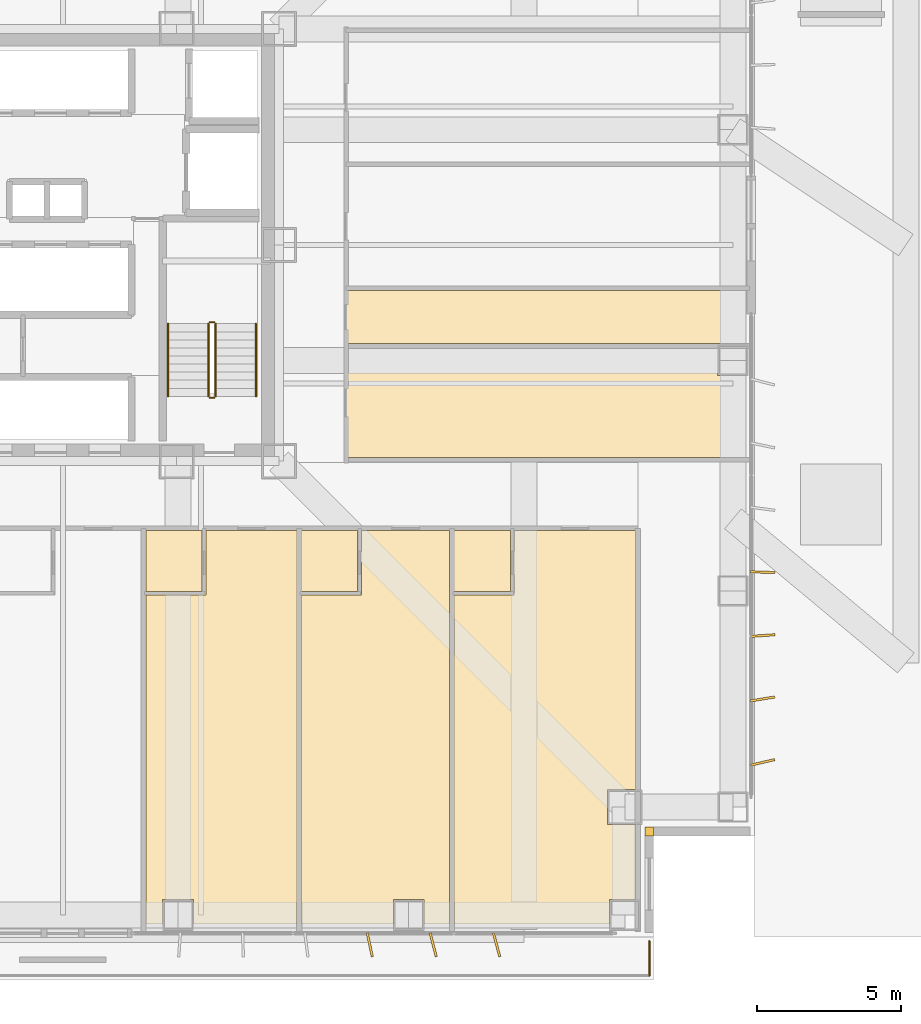
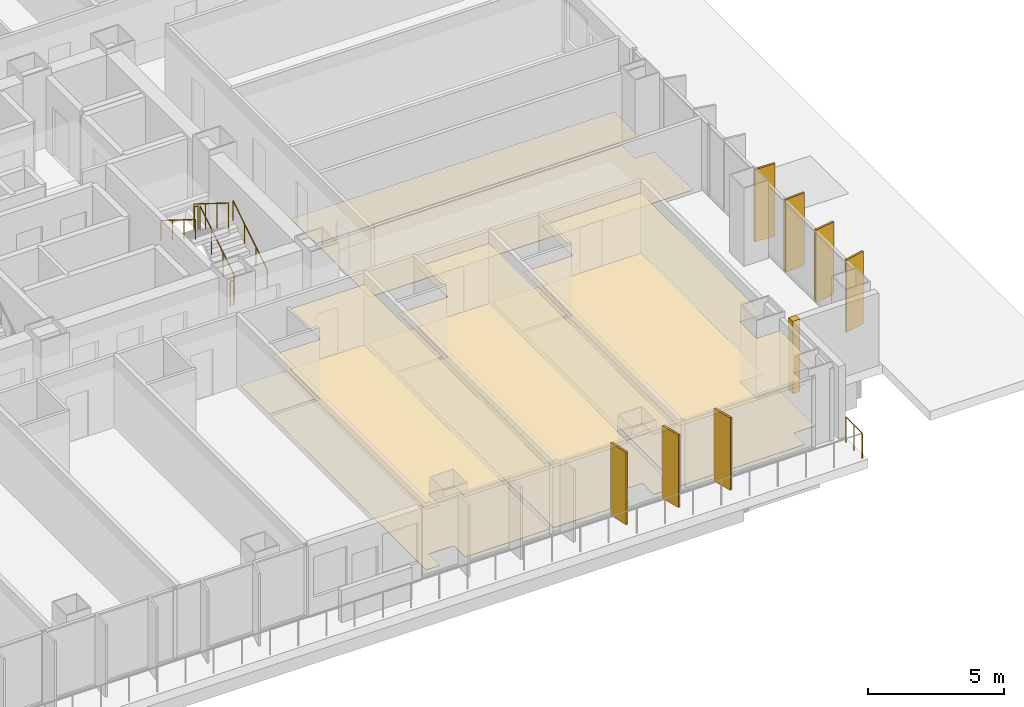
# One storey, part 22 of 24: 12 coverings, 7 railings, 7 shading devices.
"""IFC4 building model written with IfcOpenShell, lengths in metres."""

from ifc_helpers import new_model, si_unit, direction, frame, origin, origin_2d, place, context, subcontext, project, spatial, polyline, rectangle, circle, outline, extrude, material, layer, layer_set, type_object, element, save


model = new_model("IFC4")

# Units and contexts
model_context = context("Model", 3, precision=1e-05, world=origin(), true_north=direction((0.0, 1.0)))
body_context = subcontext(model_context, "Body", "Model", "MODEL_VIEW")
ifc_project = project(units=[si_unit("LENGTHUNIT", "METRE"), si_unit("AREAUNIT", "SQUARE_METRE"), si_unit("VOLUMEUNIT", "CUBIC_METRE"), si_unit("PLANEANGLEUNIT", "RADIAN"), si_unit("MASSUNIT", "GRAM", prefix="KILO")], contexts=[model_context])

# Site, building, storey
site_placement = place(None, origin())
site = spatial("IfcSite", under=ifc_project, at=site_placement, CompositionType="ELEMENT")
building_placement = place(site_placement, origin())
building = spatial("IfcBuilding", under=site, at=building_placement, Name="Trevonay Congress Spire", CompositionType="ELEMENT")
storey_placement = place(building_placement, frame((0.0, 0.0, 27.0)))
storey = spatial("IfcBuildingStorey", under=building, at=storey_placement, Name="L05", CompositionType="ELEMENT", Elevation=27.0)

# Coverings
ifc_material_1 = material(Name="Acoustic Mineral Fibre Board", Category="gypsum")
ifc_layer_1 = layer(ifc_material_1, 0.02490234375, Name="Acoustic Mineral Fibre Board")
ifc_layer_set_1 = layer_set([ifc_layer_1], Name="Acoustic Mineral Fibre Board")
covering_type_1 = type_object("IfcCoveringType", Name="COV-CEIL-ACOUSTIC", PredefinedType="CEILING", material=ifc_layer_set_1)
covering_1_placement = place(storey_placement, frame((0.0, 0.0, 2.699951171875)))
element("IfcCovering", 1, at=covering_1_placement, inside=storey, type_object=covering_type_1, Name="L05 Hotel Guest Room acoustic suspended ceiling", PredefinedType="CEILING", context=body_context, shape_type="SweptSolid", body=[
    extrude(outline(polyline([(2.8798828125, -23.550048828125), (2.8798828125, -12.139892578125), (4.969970703125, -12.139892578125), (4.969970703125, -9.909912109375), (8.1201171875, -9.909912109375), (8.1201171875, -23.550048828125), (4.534912109375, -23.550048828125), (4.534912109375, -22.715087890625), (3.465087890625, -22.715087890625), (3.465087890625, -23.550048828125), (2.8798828125, -23.550048828125)])), origin(), (0.0, 0.0, 1.0), 0.025146484375),
])
covering_2_placement = place(storey_placement, frame((0.0, 0.0, 2.699951171875)))
element("IfcCovering", 2, at=covering_2_placement, inside=storey, type_object=covering_type_1, Name="L05 Hotel Guest Room acoustic suspended ceiling", PredefinedType="CEILING", context=body_context, shape_type="SweptSolid", body=[
    extrude(outline(polyline([(8.280029296875, -23.550048828125), (8.280029296875, -12.139892578125), (10.3701171875, -12.139892578125), (10.3701171875, -9.909912109375), (13.419921875, -9.909912109375), (13.419921875, -23.550048828125), (12.534912109375, -23.550048828125), (12.534912109375, -22.715087890625), (11.465087890625, -22.715087890625), (11.465087890625, -23.550048828125), (8.280029296875, -23.550048828125)])), origin(), (0.0, 0.0, 1.0), 0.025146484375),
])
covering_3_placement = place(storey_placement, frame((0.0, 0.0, 2.699951171875)))
element("IfcCovering", 3, at=covering_3_placement, inside=storey, type_object=covering_type_1, Name="L05 Corner Hotel Suite acoustic suspended ceiling", PredefinedType="CEILING", context=body_context, shape_type="SweptSolid", body=[
    extrude(outline(polyline([(13.580078125, -23.550048828125), (13.580078125, -12.139892578125), (15.669921875, -12.139892578125), (15.669921875, -9.909912109375), (19.8701171875, -9.909912109375), (19.8701171875, -18.889892578125), (18.889892578125, -18.889892578125), (18.889892578125, -20.110107421875), (19.8701171875, -20.110107421875), (19.8701171875, -22.715087890625), (18.965087890625, -22.715087890625), (18.965087890625, -23.550048828125), (13.580078125, -23.550048828125)])), origin(), (0.0, 0.0, 1.0), 0.025146484375),
])
ifc_material_2 = material(Name="Polished Granite Floor Tile", Category="masonry")
ifc_layer_2 = layer(ifc_material_2, 0.02001953125, Name="Polished Granite Floor Tile")
ifc_layer_set_2 = layer_set([ifc_layer_2], Name="Polished Granite Floor Tile")
covering_type_2 = type_object("IfcCoveringType", Name="COV-FLOOR-STONE", PredefinedType="FLOORING", material=ifc_layer_set_2)
covering_4_placement = place(storey_placement, origin())
element("IfcCovering", 4, at=covering_4_placement, inside=storey, type_object=covering_type_2, Name="L05 En-suite Bathroom floor finish", PredefinedType="FLOORING", context=body_context, shape_type="SweptSolid", body=[
    extrude(outline(polyline([(2.8798828125, -12.02001953125), (4.830078125, -12.02001953125), (4.830078125, -9.909912109375), (2.8798828125, -9.909912109375), (2.8798828125, -12.02001953125)])), origin(), (0.0, 0.0, 1.0), 0.02001953125),
])
covering_5_placement = place(storey_placement, origin())
element("IfcCovering", 5, at=covering_5_placement, inside=storey, type_object=covering_type_2, Name="L05 En-suite Bathroom floor finish", PredefinedType="FLOORING", context=body_context, shape_type="SweptSolid", body=[
    extrude(outline(polyline([(8.280029296875, -12.02001953125), (10.22998046875, -12.02001953125), (10.22998046875, -9.909912109375), (8.280029296875, -9.909912109375), (8.280029296875, -12.02001953125)])), origin(), (0.0, 0.0, 1.0), 0.02001953125),
])
covering_6_placement = place(storey_placement, origin())
element("IfcCovering", 6, at=covering_6_placement, inside=storey, type_object=covering_type_2, Name="L05 En-suite Bathroom floor finish", PredefinedType="FLOORING", context=body_context, shape_type="SweptSolid", body=[
    extrude(outline(polyline([(13.580078125, -12.02001953125), (15.530029296875, -12.02001953125), (15.530029296875, -9.909912109375), (13.580078125, -9.909912109375), (13.580078125, -12.02001953125)])), origin(), (0.0, 0.0, 1.0), 0.02001953125),
])
covering_7_placement = place(storey_placement, origin())
element("IfcCovering", 7, at=covering_7_placement, inside=storey, type_object=covering_type_2, Name="L05 Housekeeping and Linen Room floor finish", PredefinedType="FLOORING", context=body_context, shape_type="SweptSolid", body=[
    extrude(outline(polyline([(23.550048828125, -7.3701171875), (9.830078125, -7.3701171875), (9.830078125, -3.580078125), (22.715087890625, -3.580078125), (22.715087890625, -4.534912109375), (23.550048828125, -4.534912109375), (23.550048828125, -7.3701171875)])), origin(), (0.0, 0.0, 1.0), 0.02001953125),
])
covering_8_placement = place(storey_placement, origin())
element("IfcCovering", 8, at=covering_8_placement, inside=storey, type_object=covering_type_2, Name="L05 Accessible WC floor finish", PredefinedType="FLOORING", context=body_context, shape_type="SweptSolid", body=[
    extrude(outline(polyline([(9.830078125, -3.419921875), (23.550048828125, -3.419921875), (23.550048828125, -1.580078125), (9.830078125, -1.580078125), (9.830078125, -3.419921875)])), origin(), (0.0, 0.0, 1.0), 0.02001953125),
])
ifc_material_3 = material(Name="Engineered Oak Flooring", Category="wood")
ifc_layer_3 = layer(ifc_material_3, 0.01806640625, Name="Engineered Oak Flooring")
ifc_layer_set_3 = layer_set([ifc_layer_3], Name="Engineered Oak Flooring")
covering_type_3 = type_object("IfcCoveringType", Name="COV-FLOOR-TIMBER", PredefinedType="FLOORING", material=ifc_layer_set_3)
covering_9_placement = place(storey_placement, origin())
element("IfcCovering", 9, at=covering_9_placement, inside=storey, type_object=covering_type_3, Name="L05 Hotel Guest Room floor finish", PredefinedType="FLOORING", context=body_context, shape_type="SweptSolid", body=[
    extrude(outline(polyline([(2.8798828125, -23.550048828125), (2.8798828125, -12.139892578125), (4.969970703125, -12.139892578125), (4.969970703125, -9.909912109375), (8.1201171875, -9.909912109375), (8.1201171875, -23.550048828125), (4.534912109375, -23.550048828125), (4.534912109375, -22.715087890625), (3.465087890625, -22.715087890625), (3.465087890625, -23.550048828125), (2.8798828125, -23.550048828125)])), origin(), (0.0, 0.0, 1.0), 0.01806640625),
])
covering_10_placement = place(storey_placement, origin())
element("IfcCovering", 10, at=covering_10_placement, inside=storey, type_object=covering_type_3, Name="L05 Hotel Guest Room floor finish", PredefinedType="FLOORING", context=body_context, shape_type="SweptSolid", body=[
    extrude(outline(polyline([(8.280029296875, -23.550048828125), (8.280029296875, -12.139892578125), (10.3701171875, -12.139892578125), (10.3701171875, -9.909912109375), (13.419921875, -9.909912109375), (13.419921875, -23.550048828125), (12.534912109375, -23.550048828125), (12.534912109375, -22.715087890625), (11.465087890625, -22.715087890625), (11.465087890625, -23.550048828125), (8.280029296875, -23.550048828125)])), origin(), (0.0, 0.0, 1.0), 0.01806640625),
])
covering_11_placement = place(storey_placement, origin())
element("IfcCovering", 11, at=covering_11_placement, inside=storey, type_object=covering_type_3, Name="L05 Corner Hotel Suite floor finish", PredefinedType="FLOORING", context=body_context, shape_type="SweptSolid", body=[
    extrude(outline(polyline([(13.580078125, -23.550048828125), (13.580078125, -12.139892578125), (15.669921875, -12.139892578125), (15.669921875, -9.909912109375), (19.8701171875, -9.909912109375), (19.8701171875, -18.889892578125), (18.889892578125, -18.889892578125), (18.889892578125, -20.110107421875), (19.8701171875, -20.110107421875), (19.8701171875, -22.715087890625), (18.965087890625, -22.715087890625), (18.965087890625, -23.550048828125), (13.580078125, -23.550048828125)])), origin(), (0.0, 0.0, 1.0), 0.01806640625),
])
ifc_material_4 = material(Name="Pale Anodised Aluminium EN AW-6063-T6", Category="aluminium")
ifc_layer_4 = layer(ifc_material_4, 0.0400390625, Name="Pale Anodised Aluminium EN AW-6063-T6")
ifc_layer_set_4 = layer_set([ifc_layer_4], Name="Pale Anodised Aluminium EN AW-6063-T6")
covering_type_4 = type_object("IfcCoveringType", Name="COV-SPANDREL-PALE-METAL", PredefinedType="CLADDING", material=ifc_layer_set_4)
covering_12_placement = place(storey_placement, origin())
element("IfcCovering", 12, at=covering_12_placement, inside=storey, type_object=covering_type_4, Name="L05 SE re-entrant notch corner closure trim", PredefinedType="CLADDING", context=body_context, shape_type="SweptSolid", body=[
    extrude(outline(polyline([(20.199951171875, -20.5), (20.5, -20.5), (20.5, -20.199951171875), (20.199951171875, -20.199951171875), (20.199951171875, -20.5)])), origin(), (0.0, 0.0, 1.0), 3.25),
])

# Railings
railing_type_1 = type_object("IfcRailingType", Name="RAL-EXT-GUARD-115", PredefinedType="GUARDRAIL", material=ifc_material_4)
railing_1_placement = place(storey_placement, frame((20.35009765625, -25.35009765625, 0.0)))
element("IfcRailing", 13, at=railing_1_placement, inside=storey, type_object=railing_type_1, Name="L05 perimeter safety guard GRD-L05-TER-S-2", PredefinedType="GUARDRAIL", context=body_context, shape_type="SweptSolid", body=[
    extrude(circle(Radius=0.02392578125, at=origin_2d()), frame((0.0, 0.0, 1.1259765625), z_axis=(0.0, 1.0, 0.0), x_axis=(-1.0, 0.0, 0.0)), (0.0, 0.0, 1.0), 1.2001953125),
    extrude(circle(Radius=0.02099609375, at=origin_2d()), origin(), (0.0, 0.0, 1.0), 1.101806640625),
    extrude(circle(Radius=0.02099609375, at=origin_2d()), frame((0.0, 0.60009765625, 0.0)), (0.0, 0.0, 1.0), 1.101806640625),
    extrude(circle(Radius=0.02099609375, at=origin_2d()), frame((0.0, 1.2001953125, 0.0)), (0.0, 0.0, 1.0), 1.101806640625),
])
railing_type_2 = type_object("IfcRailingType", Name="RAL-STAIR-GUARD-110", PredefinedType="GUARDRAIL", material=ifc_material_4)
railing_2_placement = place(storey_placement, frame((5.300048828125, -5.25, 0.175048828125)))
element("IfcRailing", 14, at=railing_2_placement, inside=storey, type_object=railing_type_2, Name="L05 ST-2 stair guard 1", PredefinedType="GUARDRAIL", context=body_context, shape_type="SweptSolid", body=[
    extrude(circle(Radius=0.02392578125, at=origin_2d()), frame((0.0, 0.0, 1.1259765625), z_axis=(0.0, 0.848007534815, 0.529984170421), x_axis=(-1.0, 0.0, 0.0)), (0.0, 0.0, 1.0), 2.9716796875),
    extrude(circle(Radius=0.02099609375, at=origin_2d()), origin(), (0.0, 0.0, 1.0), 1.101806640625),
    extrude(circle(Radius=0.02099609375, at=origin_2d()), frame((0.0, 0.840087890625, 0.52490234375)), (0.0, 0.0, 1.0), 1.101806640625),
    extrude(circle(Radius=0.02099609375, at=origin_2d()), frame((0.0, 1.679931640625, 1.050048828125)), (0.0, 0.0, 1.0), 1.101806640625),
    extrude(circle(Radius=0.02099609375, at=origin_2d()), frame((0.0, 2.52001953125, 1.574951171875)), (0.0, 0.0, 1.0), 1.101806640625),
])
railing_3_placement = place(storey_placement, frame((5.25, -2.679931640625, 1.75)))
element("IfcRailing", 15, at=railing_3_placement, inside=storey, type_object=railing_type_2, Name="L05 ST-2 stair guard 2", PredefinedType="GUARDRAIL", context=body_context, shape_type="SweptSolid", body=[
    extrude(circle(Radius=0.02392578125, at=origin_2d()), frame((0.0, 0.0, 1.1259765625), z_axis=(-1.0, 0.0, 0.0), x_axis=(0.0, -1.0, 0.0)), (0.0, 0.0, 1.0), 0.14990234375),
    extrude(circle(Radius=0.02099609375, at=origin_2d()), origin(), (0.0, 0.0, 1.0), 1.101806640625),
    extrude(circle(Radius=0.02099609375, at=origin_2d()), frame((-0.14990234375, 0.0, 0.0)), (0.0, 0.0, 1.0), 1.101806640625),
])
railing_4_placement = place(storey_placement, frame((5.050048828125, -2.72998046875, 1.925048828125)))
element("IfcRailing", 16, at=railing_4_placement, inside=storey, type_object=railing_type_2, Name="L05 ST-2 stair guard 3", PredefinedType="GUARDRAIL", context=body_context, shape_type="SweptSolid", body=[
    extrude(circle(Radius=0.02392578125, at=origin_2d()), frame((0.0, 0.0, 1.1259765625), z_axis=(0.0, -0.848007534815, 0.529984170421), x_axis=(1.0, 0.0, 0.0)), (0.0, 0.0, 1.0), 2.9716796875),
    extrude(circle(Radius=0.02099609375, at=origin_2d()), origin(), (0.0, 0.0, 1.0), 1.101806640625),
    extrude(circle(Radius=0.02099609375, at=origin_2d()), frame((0.0, -0.840087890625, 0.52490234375)), (0.0, 0.0, 1.0), 1.101806640625),
    extrude(circle(Radius=0.02099609375, at=origin_2d()), frame((0.0, -1.679931640625, 1.050048828125)), (0.0, 0.0, 1.0), 1.101806640625),
    extrude(circle(Radius=0.02099609375, at=origin_2d()), frame((0.0, -2.52001953125, 1.574951171875)), (0.0, 0.0, 1.0), 1.101806640625),
])
railing_5_placement = place(storey_placement, frame((5.25, -5.300048828125, 0.0)))
element("IfcRailing", 17, at=railing_5_placement, inside=storey, type_object=railing_type_2, Name="L05 ST-2 stair guard 4", PredefinedType="GUARDRAIL", context=body_context, shape_type="SweptSolid", body=[
    extrude(circle(Radius=0.02392578125, at=origin_2d()), frame((0.0, 0.0, 1.1259765625), z_axis=(-1.0, 0.0, 0.0), x_axis=(0.0, -1.0, 0.0)), (0.0, 0.0, 1.0), 0.14990234375),
    extrude(circle(Radius=0.02099609375, at=origin_2d()), origin(), (0.0, 0.0, 1.0), 1.101806640625),
    extrude(circle(Radius=0.02099609375, at=origin_2d()), frame((-0.14990234375, 0.0, 0.0)), (0.0, 0.0, 1.0), 1.101806640625),
])
railing_type_3 = type_object("IfcRailingType", Name="RAL-STAIR-HANDRAIL", PredefinedType="HANDRAIL", material=ifc_material_4)
railing_6_placement = place(storey_placement, frame((6.699951171875, -5.25, 0.175048828125)))
element("IfcRailing", 18, at=railing_6_placement, inside=storey, type_object=railing_type_3, Name="L05 ST-2 stair handrail 1", PredefinedType="HANDRAIL", context=body_context, shape_type="SweptSolid", body=[
    extrude(circle(Radius=0.02392578125, at=origin_2d()), frame((0.0, 0.0, 0.8759765625), z_axis=(0.0, 0.848007534815, 0.529984170421), x_axis=(-1.0, 0.0, 0.0)), (0.0, 0.0, 1.0), 2.9716796875),
    extrude(circle(Radius=0.02099609375, at=origin_2d()), origin(), (0.0, 0.0, 1.0), 0.851806640625),
    extrude(circle(Radius=0.02099609375, at=origin_2d()), frame((0.0, 0.840087890625, 0.52490234375)), (0.0, 0.0, 1.0), 0.851806640625),
    extrude(circle(Radius=0.02099609375, at=origin_2d()), frame((0.0, 1.679931640625, 1.050048828125)), (0.0, 0.0, 1.0), 0.851806640625),
    extrude(circle(Radius=0.02099609375, at=origin_2d()), frame((0.0, 2.52001953125, 1.574951171875)), (0.0, 0.0, 1.0), 0.851806640625),
])
railing_7_placement = place(storey_placement, frame((3.64990234375, -2.72998046875, 1.925048828125)))
element("IfcRailing", 19, at=railing_7_placement, inside=storey, type_object=railing_type_3, Name="L05 ST-2 stair handrail 2", PredefinedType="HANDRAIL", context=body_context, shape_type="SweptSolid", body=[
    extrude(circle(Radius=0.02392578125, at=origin_2d()), frame((0.0, 0.0, 0.8759765625), z_axis=(0.0, -0.848007534815, 0.529984170421), x_axis=(1.0, 0.0, 0.0)), (0.0, 0.0, 1.0), 2.9716796875),
    extrude(circle(Radius=0.02099609375, at=origin_2d()), origin(), (0.0, 0.0, 1.0), 0.851806640625),
    extrude(circle(Radius=0.02099609375, at=origin_2d()), frame((0.0, -0.840087890625, 0.52490234375)), (0.0, 0.0, 1.0), 0.851806640625),
    extrude(circle(Radius=0.02099609375, at=origin_2d()), frame((0.0, -1.679931640625, 1.050048828125)), (0.0, 0.0, 1.0), 0.851806640625),
    extrude(circle(Radius=0.02099609375, at=origin_2d()), frame((0.0, -2.52001953125, 1.574951171875)), (0.0, 0.0, 1.0), 0.851806640625),
])

# Shading devices
shading_device_type = type_object("IfcShadingDeviceType", Name="SHD-FIN-Z1-PALE-METAL", PredefinedType="USERDEFINED", material=ifc_material_4)
for number, where, z_axis, x_axis, name in (
    (20, (10.64990234375, -24.280029296875, 0.0), (0.0, 0.0, 1.0), (0.978508985102, 0.206204185397, 0.0), "L05 S vertical pale-metal solar fin 14"),
    (21, (12.85009765625, -24.280029296875, 0.0), (0.0, 0.0, 1.0), (0.968191325187, 0.250211026602, 0.0), "L05 S vertical pale-metal solar fin 15"),
    (22, (15.050048828125, -24.280029296875, 0.0), (0.0, 0.0, 1.0), (0.966510581262, 0.256626764599, 0.0), "L05 S vertical pale-metal solar fin 16"),
    (23, (24.280029296875, -17.949951171875, 0.0), (0.0, 0.0, 1.0), (-0.224780991261, 0.97440931131, 0.0), "L05 E vertical pale-metal solar fin 1"),
    (24, (24.280029296875, -15.75, 0.0), (0.0, 0.0, 1.0), (-0.158675054211, 0.987330860032, 0.0), "L05 E vertical pale-metal solar fin 2"),
    (25, (24.280029296875, -13.550048828125, 0.0), (0.0, 0.0, 1.0), (-0.067667029017, 0.997707959868, 0.0), "L05 E vertical pale-metal solar fin 3"),
    (26, (24.280029296875, -11.35009765625, 0.0), (0.0, 0.0, 1.0), (0.034201781837, 0.999414947917, 0.0), "L05 E vertical pale-metal solar fin 4"),
):
    element("IfcShadingDevice", number, at=place(storey_placement, frame(where, z_axis=z_axis, x_axis=x_axis)), inside=storey, type_object=shading_device_type, Name=name, ObjectType="SOLAR FIN", PredefinedType="USERDEFINED", context=body_context, shape_type="SweptSolid", body=[
        extrude(rectangle(XDim=0.080078125, YDim=0.85009765625, at=origin_2d()), origin(), (0.0, 0.0, 1.0), 3.25),
    ])

save(model, "model.ifc")
